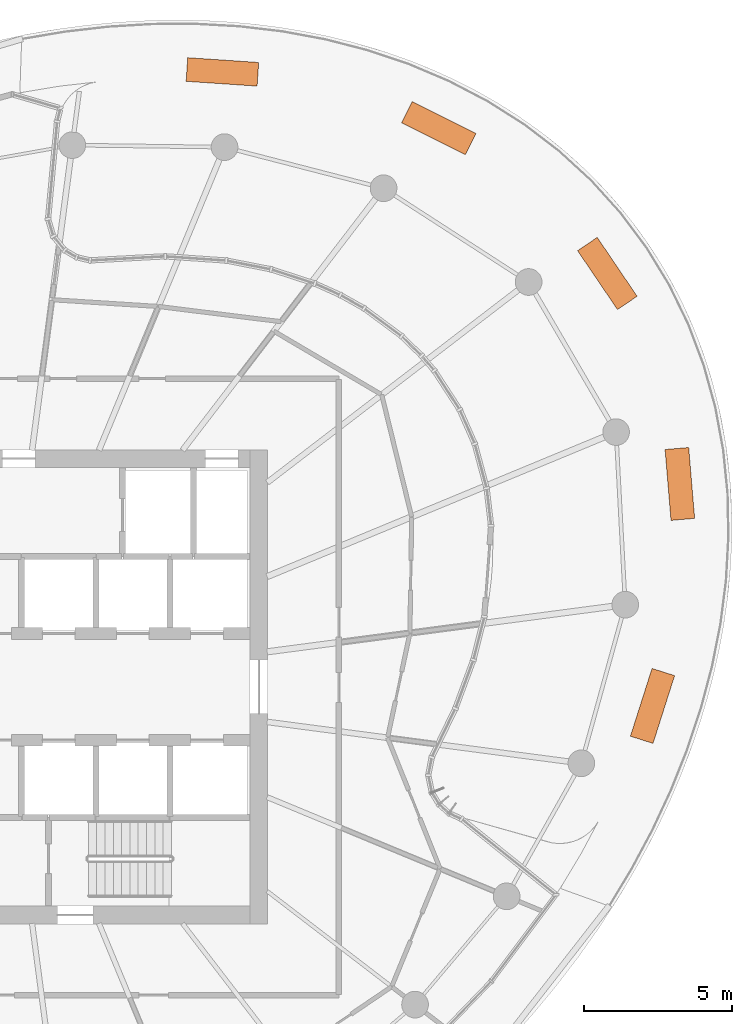
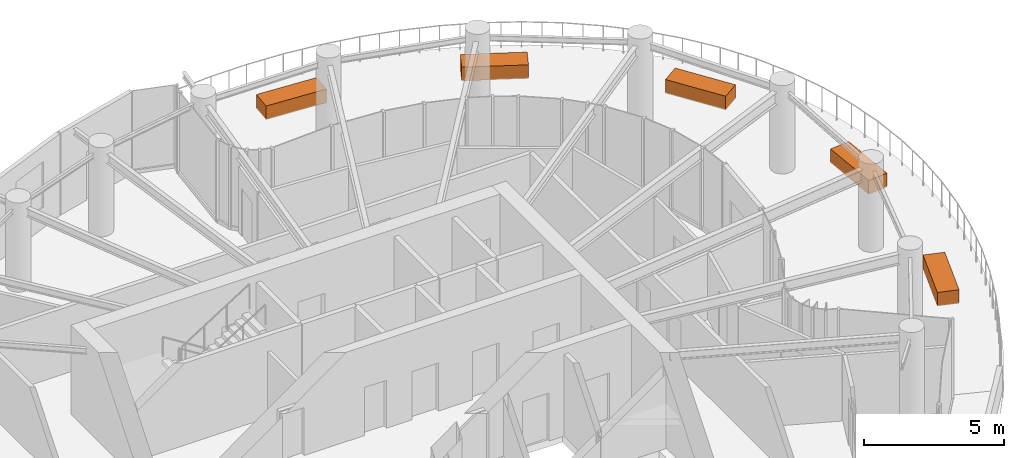
# One storey, part 19 of 19: 5 proxies.
"""IFC4 building model written with IfcOpenShell, lengths in metres."""

from ifc_helpers import new_model, si_unit, direction, frame, origin, origin_2d, place, context, subcontext, project, spatial, rectangle, extrude, source, transform, mapped, element, save


model = new_model("IFC4")

# Units and contexts
model_context = context("Model", 3, precision=1e-05, world=origin(), true_north=direction((0.0, 1.0)))
body_context = subcontext(model_context, "Body", "Model", "MODEL_VIEW")
ifc_project = project(units=[si_unit("LENGTHUNIT", "METRE"), si_unit("AREAUNIT", "SQUARE_METRE"), si_unit("VOLUMEUNIT", "CUBIC_METRE"), si_unit("PLANEANGLEUNIT", "RADIAN"), si_unit("MASSUNIT", "GRAM", prefix="KILO")], contexts=[model_context])

# Site, building, storey
site_placement = place(None, origin())
site = spatial("IfcSite", under=ifc_project, at=site_placement, CompositionType="ELEMENT")
building_placement = place(site_placement, origin())
building = spatial("IfcBuilding", under=site, at=building_placement, Name="Spindrift Exchange Tower", CompositionType="ELEMENT")
storey_placement = place(building_placement, frame((0.0, 0.0, 183.800048828125)))
storey = spatial("IfcBuildingStorey", under=building, at=storey_placement, Name="L44", CompositionType="ELEMENT", Elevation=183.800048828125)

# Proxies
shared_shape = source(origin(), body_context, "Body", "SweptSolid", [
    extrude(rectangle(XDim=2.39990234375, YDim=0.800048828125, at=origin_2d()), origin(), (0.0, 0.0, 1.0), 0.60009765625),
])
for number, where, z_axis, x_axis, name in (
    (1, (59.470947265625, 68.747802734375, 0.0), (0.0, 0.0, 1.0), (0.997769660678, -0.066751061636, 0.0), "L44 PLANTER 01"),
    (2, (66.7724609375, 66.851318359375, 0.0), (0.0, 0.0, 1.0), (0.894741924211, -0.446583574551, 0.0), "L44 PLANTER 02"),
    (3, (72.45849609375, 61.94677734375, 0.0), (0.0, 0.0, 1.0), (0.560997361039, -0.827817589151, 0.0), "L44 PLANTER 03"),
    (4, (74.904296875, 54.845947265625, 0.0), (0.0, 0.0, 1.0), (0.083690017783, -0.996491836857, 0.0), "L44 PLANTER 04"),
    (5, (73.982177734375, 47.357421875, 0.0), (0.0, 0.0, 1.0), (-0.303369566786, -0.952872974718, 0.0), "L44 PLANTER 05"),
):
    element("IfcBuildingElementProxy", number, at=place(storey_placement, frame(where, z_axis=z_axis, x_axis=x_axis)), inside=storey, Name=name, ObjectType="PLANTER", PredefinedType="USERDEFINED", context=body_context, shape_type="MappedRepresentation", body=[
        mapped(shared_shape, transform((0.0, 0.0, 0.0), scale=1.0)),
    ])

save(model, "model.ifc")
